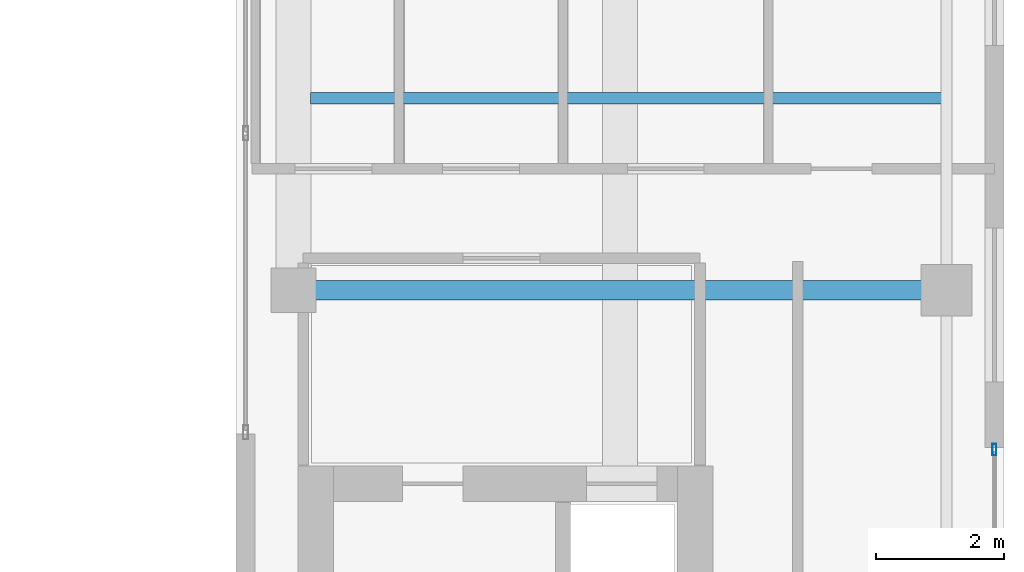
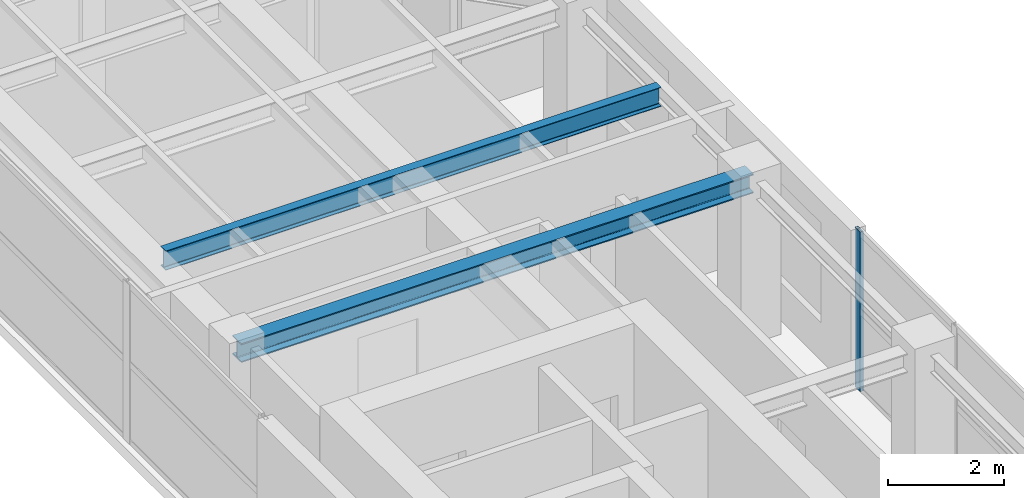
# One storey, part 13 of 23: 2 beams, 1 member, 1 element without a shape of its own.
"""IFC4 building model written with IfcOpenShell, lengths in metres."""

from ifc_helpers import new_model, si_unit, direction, frame, origin, origin_2d, place, context, subcontext, project, spatial, hollow_rectangle, i_section, extrude, source, transform, mapped, material, layer, layer_set, material_profile, profile_set, type_object, element, aggregate, save


model = new_model("IFC4")

# Units and contexts
model_context = context("Model", 3, precision=1e-05, world=origin(), true_north=direction((0.0, 1.0)))
body_context = subcontext(model_context, "Body", "Model", "MODEL_VIEW")
ifc_project = project(units=[si_unit("LENGTHUNIT", "METRE"), si_unit("AREAUNIT", "SQUARE_METRE"), si_unit("VOLUMEUNIT", "CUBIC_METRE"), si_unit("PLANEANGLEUNIT", "RADIAN"), si_unit("MASSUNIT", "GRAM", prefix="KILO")], contexts=[model_context])

# Site, building, storey
site_placement = place(None, origin())
site = spatial("IfcSite", under=ifc_project, at=site_placement, CompositionType="ELEMENT")
building_placement = place(site_placement, origin())
building = spatial("IfcBuilding", under=site, at=building_placement, Name="Khoralis Quay Care Tower", CompositionType="ELEMENT")
storey_placement = place(building_placement, frame((0.0, 0.0, 252.89990234375)))
storey = spatial("IfcBuildingStorey", under=building, at=storey_placement, Name="L66", CompositionType="ELEMENT", Elevation=252.89990234375)

# Beams
ifc_material_1 = material(Name="Steel S355", Category="steel")
ifc_material_profile_1 = material_profile(ifc_material_1, i_section(OverallWidth=0.300048828125, OverallDepth=0.39990234375, WebThickness=0.013427734375, FlangeThickness=0.02392578125, FilletRadius=0.027099609375, at=origin_2d()), Name="Steel S355")
ifc_profile_set_1 = profile_set([ifc_material_profile_1], Name="Steel S355")
beam_type_1 = type_object("IfcBeamType", Name="BM-HEB400", PredefinedType="BEAM", material=ifc_profile_set_1)
shared_shape_1 = source(origin(), body_context, "Body", "SweptSolid", [
    extrude(i_section(OverallWidth=0.300048828125, OverallDepth=0.39990234375, WebThickness=0.013427734375, FlangeThickness=0.02392578125, FilletRadius=0.027099609375, at=origin_2d()), origin(), (0.0, 0.0, 1.0), 10.2001953125),
])
beam_1_placement = place(storey_placement, frame((30.89990234375, 30.0, 3.16015625), z_axis=(1.0, 0.0, 0.0), x_axis=(0.0, 1.0, 0.0)))
element("IfcBeam", 1, at=beam_1_placement, inside=storey, type_object=beam_type_1, Name="BM-TGXE-L66-300", PredefinedType="BEAM", context=body_context, shape_type="MappedRepresentation", body=[
    mapped(shared_shape_1, transform((0.0, 0.0, 0.0), scale=1.0)),
])
ifc_material_profile_2 = material_profile(ifc_material_1, i_section(OverallWidth=0.177978515625, OverallDepth=0.406982421875, WebThickness=0.0078125, FlangeThickness=0.0126953125, FilletRadius=0.012939453125, at=origin_2d()), Name="Steel S355")
ifc_profile_set_2 = profile_set([ifc_material_profile_2], Name="Steel S355")
beam_type_2 = type_object("IfcBeamType", Name="BM-W410X60", PredefinedType="JOIST", material=ifc_profile_set_2)
shared_shape_2 = source(origin(), body_context, "Body", "SweptSolid", [
    extrude(i_section(OverallWidth=0.177978515625, OverallDepth=0.406982421875, WebThickness=0.0078125, FlangeThickness=0.0126953125, FilletRadius=0.012939453125, at=origin_2d()), origin(), (0.0, 0.0, 1.0), 9.865966796875),
])
beam_2_placement = place(storey_placement, frame((31.1630859375, 33.0, 3.156494140625), z_axis=(1.0, 0.0, 0.0), x_axis=(0.0, 1.0, 0.0)))
element("IfcBeam", 2, at=beam_2_placement, inside=storey, type_object=beam_type_2, Name="BM-TJS-L66-20", PredefinedType="JOIST", context=body_context, shape_type="MappedRepresentation", body=[
    mapped(shared_shape_2, transform((0.0, 0.0, 0.0), scale=1.0)),
])

# Curtain wall, member
ifc_material_2 = material(Name="Pale anodised aluminium", Category="aluminium")
ifc_layer = layer(ifc_material_2, 0.159912109375)
ifc_layer_set = layer_set([ifc_layer], Name="Pale anodised aluminium")
curtain_wall_type = type_object("IfcCurtainWallType", Name="CW-SYS-Z3", PredefinedType="NOTDEFINED", material=ifc_layer_set)
curtain_wall_placement = place(storey_placement, origin())
curtain_wall = element("IfcCurtainWall", 3, at=curtain_wall_placement, inside=storey, type_object=curtain_wall_type, Name="L66 Unitised Curtain Wall CW-L66-P2-E5", PredefinedType="NOTDEFINED")
ifc_material_profile_3 = material_profile(ifc_material_2, hollow_rectangle(XDim=0.06494140625, YDim=0.179931640625, WallThickness=0.00390625, at=origin_2d()), Name="Pale anodised aluminium")
ifc_profile_set_3 = profile_set([ifc_material_profile_3], Name="Pale anodised aluminium")
member_type = type_object("IfcMemberType", Name="CW-MUL-180", PredefinedType="MULLION", material=ifc_profile_set_3)
shared_shape_3 = source(origin(), body_context, "Body", "SweptSolid", [
    extrude(hollow_rectangle(XDim=0.06494140625, YDim=0.179931640625, WallThickness=0.00390625, at=origin_2d()), origin(), (0.0, 0.0, 1.0), 3.360107421875),
])
member_placement = place(storey_placement, frame((41.85009765625, 27.510009765625, 0.0), z_axis=(0.0, 0.0, 1.0), x_axis=(-1.0, 0.0, 0.0)))
member = element("IfcMember", 4, at=member_placement, type_object=member_type, Name="CW3 mullion 4", PredefinedType="MULLION", context=body_context, shape_type="MappedRepresentation", body=[
    mapped(shared_shape_3, transform((0.0, 0.0, 0.0), scale=1.0)),
])
aggregate(curtain_wall, [member])

save(model, "model.ifc")
